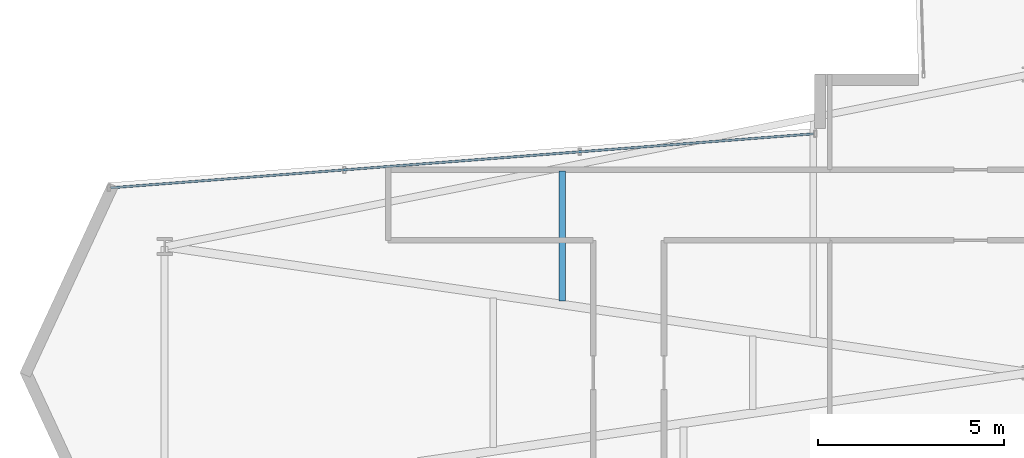
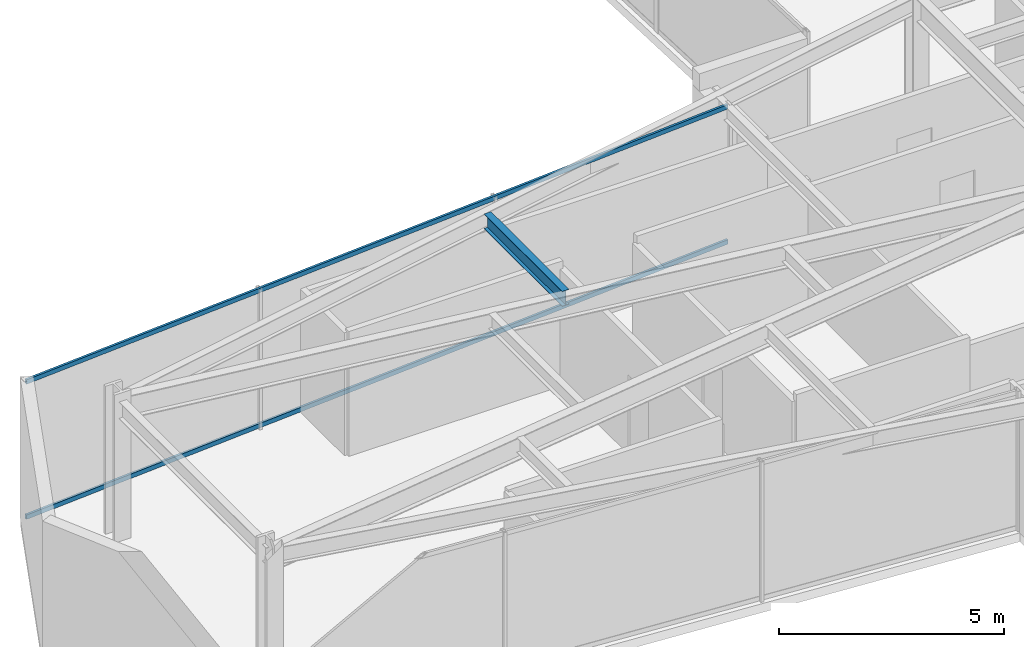
# One storey, part 9 of 29: 2 members, 1 beam, 1 element without a shape of its own.
"""IFC4 building model written with IfcOpenShell, lengths in metres."""

from ifc_helpers import new_model, si_unit, direction, frame, origin, origin_2d, place, context, subcontext, project, spatial, hollow_rectangle, i_section, extrude, material, layer, layer_set, material_profile, profile_set, type_object, element, aggregate, save


model = new_model("IFC4")

# Units and contexts
model_context = context("Model", 3, precision=1e-05, world=origin(), true_north=direction((0.0, 1.0)))
body_context = subcontext(model_context, "Body", "Model", "MODEL_VIEW")
ifc_project = project(units=[si_unit("LENGTHUNIT", "METRE"), si_unit("AREAUNIT", "SQUARE_METRE"), si_unit("VOLUMEUNIT", "CUBIC_METRE"), si_unit("PLANEANGLEUNIT", "RADIAN"), si_unit("MASSUNIT", "GRAM", prefix="KILO")], contexts=[model_context])

# Site, building, storey
site_placement = place(None, origin())
site = spatial("IfcSite", under=ifc_project, at=site_placement, CompositionType="ELEMENT")
building_placement = place(site_placement, origin())
building = spatial("IfcBuilding", under=site, at=building_placement, Name="Veymaron Broadcast Tower", CompositionType="ELEMENT")
storey_placement = place(building_placement, frame((0.0, 0.0, 41.85009765625)))
storey = spatial("IfcBuildingStorey", under=building, at=storey_placement, Name="L08", CompositionType="ELEMENT", Elevation=41.85009765625)

# Beam
ifc_material_1 = material(Name="Structural steel ASTM A992 Gr 50", Category="steel")
ifc_material_profile_1 = material_profile(ifc_material_1, i_section(OverallWidth=0.177978515625, OverallDepth=0.406982421875, WebThickness=0.0078125, FlangeThickness=0.0126953125, at=origin_2d()), Name="W410X60")
ifc_profile_set_1 = profile_set([ifc_material_profile_1], Name="Structural steel ASTM A992 Gr 50")
beam_type = type_object("IfcBeamType", Name="BM-JS1", PredefinedType="JOIST", material=ifc_profile_set_1)
beam_placement = place(storey_placement, frame((18.67578125, 25.927978515625, 3.6064453125), z_axis=(0.0, 1.0, 0.0), x_axis=(-1.0, 0.0, 0.0)))
element("IfcBeam", 1, at=beam_placement, inside=storey, type_object=beam_type, Name="L08 Arm-A secondary joist 1N", PredefinedType="JOIST", context=body_context, shape_type="SweptSolid", body=[
    extrude(i_section(OverallWidth=0.177978515625, OverallDepth=0.406982421875, WebThickness=0.0078125, FlangeThickness=0.0126953125, at=origin_2d()), origin(), (0.0, 0.0, 1.0), 3.47998046875),
])

# Curtain wall, members
ifc_material_2 = material(Name="Anodised aluminium AA 6063-T6 and laminated low-E dark glass", Category="aluminium")
ifc_layer = layer(ifc_material_2, 0.179931640625)
ifc_layer_set = layer_set([ifc_layer], Name="Anodised aluminium AA 6063-T6 and laminated low-E dark glass")
curtain_wall_type = type_object("IfcCurtainWallType", Name="CW-SYS-02", PredefinedType="NOTDEFINED", material=ifc_layer_set)
curtain_wall_placement = place(storey_placement, origin())
curtain_wall = element("IfcCurtainWall", 2, at=curtain_wall_placement, inside=storey, type_object=curtain_wall_type, Name="L08 dark-glass curtain wall CW-L08-E11-1", PredefinedType="NOTDEFINED")
ifc_material_3 = material(Name="Anodised aluminium AA 6063-T6", Category="aluminium")
ifc_material_profile_2 = material_profile(ifc_material_3, hollow_rectangle(XDim=0.06005859375, YDim=0.1201171875, WallThickness=0.00390625, at=origin_2d()), Name="AL120X60X4")
ifc_profile_set_2 = profile_set([ifc_material_profile_2], Name="Anodised aluminium AA 6063-T6")
member_type = type_object("IfcMemberType", Name="CW-TRN-02", PredefinedType="USERDEFINED", material=ifc_profile_set_2)
member_1_placement = place(storey_placement, frame((25.40869140625, 30.408447265625, 0.06982421875), z_axis=(-0.997061015336, -0.076611563729, 0.0), x_axis=(0.076611563729, -0.997061015336, 0.0)))
member_1 = element("IfcMember", 3, at=member_1_placement, type_object=member_type, Name="CW-L08-E11-1 transom B", ObjectType="TRANSOM", PredefinedType="USERDEFINED", context=body_context, shape_type="SweptSolid", body=[
    extrude(hollow_rectangle(XDim=0.06005859375, YDim=0.1201171875, WallThickness=0.00390625, at=origin_2d()), origin(), (0.0, 0.0, 1.0), 18.90380859375),
])
member_2_placement = place(storey_placement, frame((25.40869140625, 30.408447265625, 3.739990234375), z_axis=(-0.997061015336, -0.076611563729, 0.0), x_axis=(0.076611563729, -0.997061015336, 0.0)))
member_2 = element("IfcMember", 4, at=member_2_placement, type_object=member_type, Name="CW-L08-E11-1 transom T", ObjectType="TRANSOM", PredefinedType="USERDEFINED", context=body_context, shape_type="SweptSolid", body=[
    extrude(hollow_rectangle(XDim=0.06005859375, YDim=0.1201171875, WallThickness=0.00390625, at=origin_2d()), origin(), (0.0, 0.0, 1.0), 18.90380859375),
])
aggregate(curtain_wall, [member_1, member_2])

save(model, "model.ifc")
